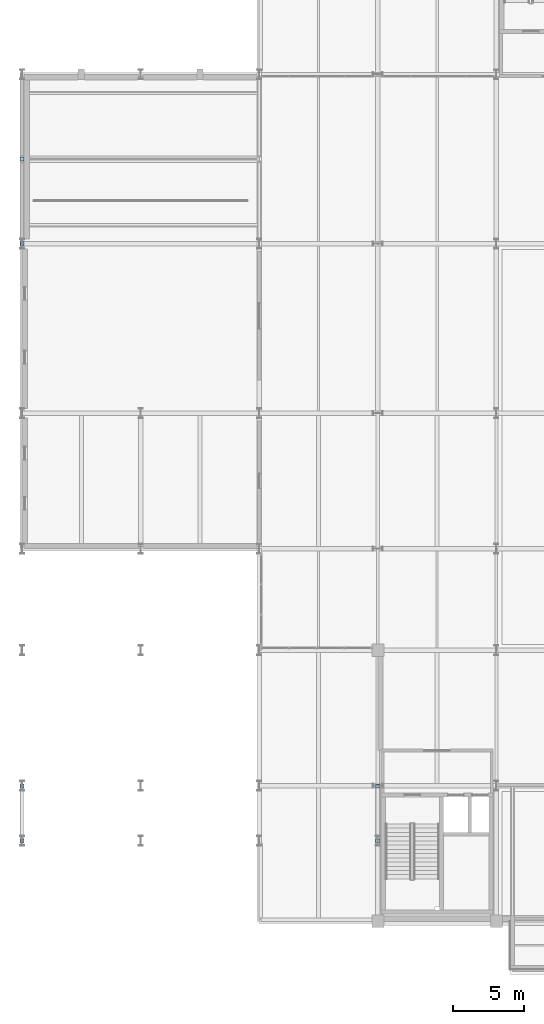
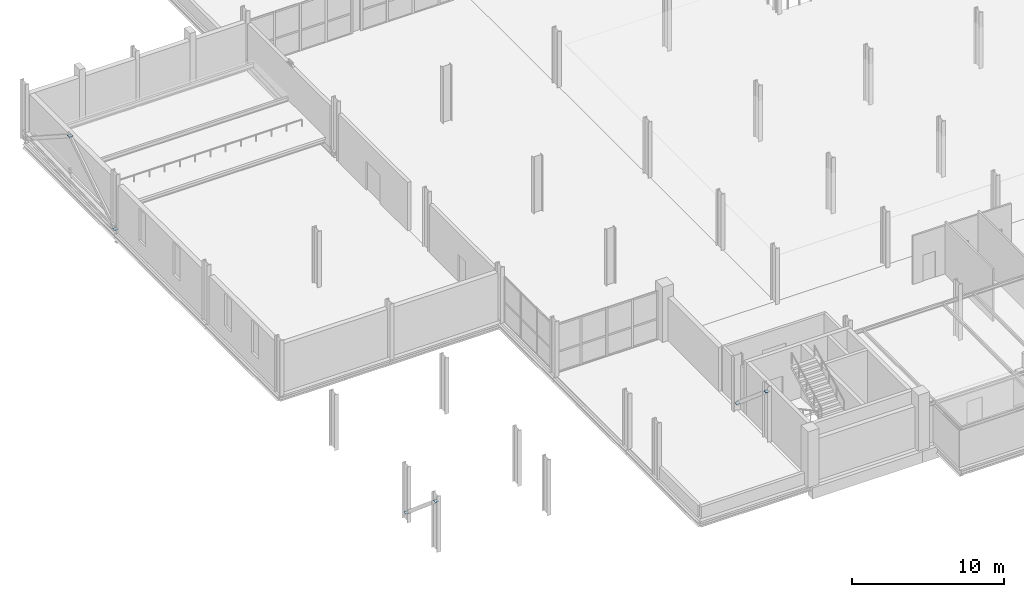
# One storey, part 94 of 113: 6 plates.
"""IFC4 building model written with IfcOpenShell, lengths in metres."""

import ifcopenshell
import ifcopenshell.guid

model = None  # the IFC model being written
_history = None  # IfcOwnerHistory: only IFC2X3 demands one
_inside = {}  # id of a spatial element -> (the spatial element, [elements in it])
_under = {}  # id of a project, library or spatial element -> (it, [spatial elements below it])
_declared = {}  # id of a project -> (the project, [libraries it declares])
_typed = {}  # id of a type object -> (the type object, [elements of that type])
_made_of = {}  # id of a material, layer set ... -> (it, [elements and type objects made of it])


def new_model(schema):
    """Start an empty IFC model of exactly this schema.

    Asked for "IFC4X3", IfcOpenShell would pick the latest addendum, in which some entities
    have other attributes; the version numbers below select the first issue.
    IFC2X3 requires an IfcOwnerHistory on every rooted entity: one is made here for all.
    """
    global model, _history
    if schema == "IFC4X3":
        model = ifcopenshell.file(schema_version=(4, 3, 0, 0))
    else:
        model = ifcopenshell.file(schema=schema)
    _inside.clear()
    _under.clear()
    _declared.clear()
    _typed.clear()
    _made_of.clear()
    _history = None
    if model.schema == "IFC2X3":
        org = make("IfcOrganization", Name="unknown")
        user = make(
            "IfcPersonAndOrganization",
            ThePerson=make("IfcPerson", FamilyName="unknown"),
            TheOrganization=org,
        )
        app = make(
            "IfcApplication",
            ApplicationDeveloper=org,
            Version="unknown",
            ApplicationFullName="unknown",
            ApplicationIdentifier="unknown",
        )
        _history = make(
            "IfcOwnerHistory",
            OwningUser=user,
            OwningApplication=app,
            ChangeAction="ADDED",
            CreationDate=0,
        )
    return model


def make(cls, **values):
    """One entity of the class cls with the attributes given. An attribute that is None is left unset."""
    return model.create_entity(
        cls, **{name: value for name, value in values.items() if value is not None}
    )


def rooted(cls, **values):
    """An entity with a GlobalId (a new one), such as an element, a storey or a relation."""
    return make(cls, GlobalId=ifcopenshell.guid.new(), OwnerHistory=_history, **values)


def si_unit(unit_type, name, prefix=None):
    """IfcSIUnit, for example si_unit("LENGTHUNIT", "METRE", prefix="MILLI")."""
    return make("IfcSIUnit", UnitType=unit_type, Prefix=prefix, Name=name)


def assignment(units):
    """IfcUnitAssignment: the units of a project."""
    return None if units is None else make("IfcUnitAssignment", Units=units)


def point(xyz):
    """IfcCartesianPoint."""
    return None if xyz is None else make("IfcCartesianPoint", Coordinates=xyz)


def direction(xyz):
    """IfcDirection."""
    return None if xyz is None else make("IfcDirection", DirectionRatios=xyz)


def frame(location, z_axis=None, x_axis=None):
    """IfcAxis2Placement3D, a coordinate frame: its origin and axes. An axis left out is left unset."""
    return make(
        "IfcAxis2Placement3D",
        Location=point(location),
        Axis=direction(z_axis),
        RefDirection=direction(x_axis),
    )


def frame_2d(location, x_axis=None):
    """IfcAxis2Placement2D, a coordinate frame in the plane: its origin and x axis."""
    return make(
        "IfcAxis2Placement2D", Location=point(location), RefDirection=direction(x_axis)
    )


def origin():
    """The frame at (0, 0, 0) with its axes left unset."""
    return frame((0.0, 0.0, 0.0))


def origin_2d():
    """The frame at (0, 0) in the plane with its x axis left unset."""
    return frame_2d((0.0, 0.0))


def place(relative_to, where):
    """IfcLocalPlacement: puts the frame where relative to a parent placement (None: the world)."""
    return make(
        "IfcLocalPlacement", PlacementRelTo=relative_to, RelativePlacement=where
    )


def context(
    kind, dimensions, precision=None, world=None, true_north=None, identifier=None
):
    """IfcGeometricRepresentationContext, for example the 3D "Model" context."""
    return make(
        "IfcGeometricRepresentationContext",
        ContextIdentifier=identifier,
        ContextType=kind,
        CoordinateSpaceDimension=dimensions,
        Precision=precision,
        WorldCoordinateSystem=world,
        TrueNorth=true_north,
    )


def subcontext(parent, identifier, kind, view, scale=None):
    """IfcGeometricRepresentationSubContext, for example "Body" below "Model"."""
    return make(
        "IfcGeometricRepresentationSubContext",
        ContextIdentifier=identifier,
        ContextType=kind,
        ParentContext=parent,
        TargetScale=scale,
        TargetView=view,
    )


def project(units=None, contexts=None):
    """IfcProject with its units and contexts."""
    return rooted(
        "IfcProject",
        Name="project",
        RepresentationContexts=contexts,
        UnitsInContext=assignment(units),
    )


def spatial(cls, under=None, at=None, **own):
    """A site, building, storey or space (cls), placed at a placement, below another one or the project."""
    s = rooted(cls, ObjectPlacement=at, **own)
    if under is not None:
        _under.setdefault(under.id(), (under, []))[1].append(s)
    return s


def profile(cls, at=None, kind="AREA", **sizes):
    """A parametric profile (cls). Its sizes go by their IFC names, for example OverallWidth=200.0."""
    return make(cls, ProfileType=kind, Position=at, **sizes)


def rectangle(**sizes):
    """IfcRectangleProfileDef."""
    return profile("IfcRectangleProfileDef", **sizes)


def extrude(swept, where, along, depth):
    """IfcExtrudedAreaSolid: the profile swept, set in the frame where, extruded along a direction by depth."""
    return make(
        "IfcExtrudedAreaSolid",
        SweptArea=swept,
        Position=where,
        ExtrudedDirection=direction(along),
        Depth=depth,
    )


def shape(context_of_items, identifier, shape_type, items):
    """IfcShapeRepresentation: the items that make up one representation, for example the "Body"."""
    return make(
        "IfcShapeRepresentation",
        ContextOfItems=context_of_items,
        RepresentationIdentifier=identifier,
        RepresentationType=shape_type,
        Items=items,
    )


def material(Name=None, Category=None):
    """IfcMaterial."""
    return make("IfcMaterial", Name=Name, Category=Category)


def layer(
    of_material, thickness, ventilated=None, Name=None, Category=None, Priority=None
):
    """IfcMaterialLayer: one layer of a wall or slab, of a material (None: an air gap)."""
    return make(
        "IfcMaterialLayer",
        Material=of_material,
        LayerThickness=thickness,
        IsVentilated=ventilated,
        Name=Name,
        Category=Category,
        Priority=Priority,
    )


def layer_set(layers, Name=None):
    """IfcMaterialLayerSet."""
    return make("IfcMaterialLayerSet", MaterialLayers=layers, LayerSetName=Name)


def made_of(thing, what):
    """Note that an element or type object is made of a material, layer set ...; save() writes the relation."""
    if what is not None:
        _made_of.setdefault(what.id(), (what, []))[1].append(thing)
    return thing


def type_object(cls, material=None, **own):
    """A type object (cls), such as IfcWallType, which elements share."""
    return made_of(rooted(cls, **own), material)


def element(
    cls,
    number,
    at=None,
    inside=None,
    cuts=None,
    type_object=None,
    material=None,
    context=None,
    identifier="Body",
    shape_type=None,
    held_by="IfcProductDefinitionShape",
    body=None,
    shapes=None,
    **own,
):
    """One element of the class cls, such as IfcWall. Its Tag is "e" and its number.

    at: its placement. inside: the storey or other place that contains it. cuts: it is an
    opening in that element (IfcRelVoidsElement). A single representation is given by context,
    identifier, shape_type and body (its items); several are given by shapes. held_by: the class
    of the entity that holds the representations. save() writes the other relations.
    """
    e = rooted(cls, Tag="e%d" % number, ObjectPlacement=at, **own)
    if body is not None:
        shapes = [shape(context, identifier, shape_type, body)]
    if shapes is not None:
        e.Representation = make(held_by, Representations=shapes)
    if inside is not None:
        _inside.setdefault(inside.id(), (inside, []))[1].append(e)
    if cuts is not None:
        rooted(
            "IfcRelVoidsElement", RelatingBuildingElement=cuts, RelatedOpeningElement=e
        )
    if type_object is not None:
        _typed.setdefault(type_object.id(), (type_object, []))[1].append(e)
    return made_of(e, material)


def aggregate(whole, parts):
    """IfcRelAggregates: a whole, such as a stair, and the parts it consists of."""
    return rooted("IfcRelAggregates", RelatingObject=whole, RelatedObjects=parts)


def save(model, path):
    """Write the relations noted so far, then the file.

    IfcRelAggregates (storeys below a building ...), IfcRelContainedInSpatialStructure (elements
    in a storey), IfcRelDefinesByType, IfcRelAssociatesMaterial and IfcRelDeclares: one each for
    every whole, place, type object, material and project.
    """
    for whole, parts in _under.values():
        aggregate(whole, parts)
    for where, things in _inside.values():
        rooted(
            "IfcRelContainedInSpatialStructure",
            RelatedElements=things,
            RelatingStructure=where,
        )
    for kind, things in _typed.values():
        rooted("IfcRelDefinesByType", RelatedObjects=things, RelatingType=kind)
    for what, things in _made_of.values():
        rooted("IfcRelAssociatesMaterial", RelatedObjects=things, RelatingMaterial=what)
    for by, libraries in _declared.values():
        rooted("IfcRelDeclares", RelatingContext=by, RelatedDefinitions=libraries)
    model.write(path)


model = new_model("IFC4")

# Units and contexts
model_context = context("Model", 3, precision=1e-05, world=origin(), true_north=direction((0.0, 1.0)))
body_context = subcontext(model_context, "Body", "Model", "MODEL_VIEW")
ifc_project = project(units=[si_unit("LENGTHUNIT", "METRE"), si_unit("AREAUNIT", "SQUARE_METRE"), si_unit("VOLUMEUNIT", "CUBIC_METRE"), si_unit("PLANEANGLEUNIT", "RADIAN"), si_unit("MASSUNIT", "GRAM", prefix="KILO")], contexts=[model_context])

# Site, building, storey
site_placement = place(None, origin())
site = spatial("IfcSite", under=ifc_project, at=site_placement, CompositionType="ELEMENT")
building_placement = place(site_placement, origin())
building = spatial("IfcBuilding", under=site, at=building_placement, Name="Veltarok Museum of Natural Sciences", CompositionType="ELEMENT")
storey_placement = place(building_placement, frame((0.0, 0.0, 8.39990234375)))
storey = spatial("IfcBuildingStorey", under=building, at=storey_placement, Name="L01", CompositionType="ELEMENT", Elevation=8.39990234375)

# Plates
ifc_material = material(Name="Steel S355J2", Category="steel")
ifc_layer = layer(ifc_material, 0.02001953125)
ifc_layer_set = layer_set([ifc_layer], Name="Steel S355J2")
plate_type = type_object("IfcPlateType", Name="Hollow End Closure Plate D290x20", PredefinedType="USERDEFINED", material=ifc_layer_set)
for number, where, z_axis, x_axis, name in (
    (1, (6.39990234375, 9.596923828125, 0.5927734375), (0.0, 0.0, 1.0), (0.0, 1.0, 0.0), "End Cap Plate CP-273 200"),
    (2, (6.39990234375, 5.703125, 3.887451171875), (0.0, 0.0, 1.0), (0.0, 1.0, 0.0), "End Cap Plate CP-273 201"),
    (3, (31.60009765625, 9.596923828125, 0.5927734375), (0.0, 0.0, 1.0), (0.0, 1.0, 0.0), "End Cap Plate CP-273 202"),
    (4, (31.60009765625, 5.703125, 3.887451171875), (0.0, 0.0, 1.0), (0.0, 1.0, 0.0), "End Cap Plate CP-273 203"),
    (5, (6.39990234375, 48.00341796875, 0.142333984375), (0.0, 0.0, 1.0), (0.0, 1.0, 0.0), "End Cap Plate CP-273 435"),
    (6, (6.39990234375, 53.99658203125, 4.0078125), (0.0, 0.0, 1.0), (0.0, 1.0, 0.0), "End Cap Plate CP-273 436"),
):
    element("IfcPlate", number, at=place(storey_placement, frame(where, z_axis=z_axis, x_axis=x_axis)), inside=storey, type_object=plate_type, Name=name, ObjectType="END CAP PLATE", PredefinedType="USERDEFINED", context=body_context, shape_type="SweptSolid", body=[
        extrude(rectangle(XDim=0.2900390625, YDim=0.2900390625, at=origin_2d()), origin(), (0.0, 0.0, 1.0), 0.02001953125),
    ])

save(model, "model.ifc")
